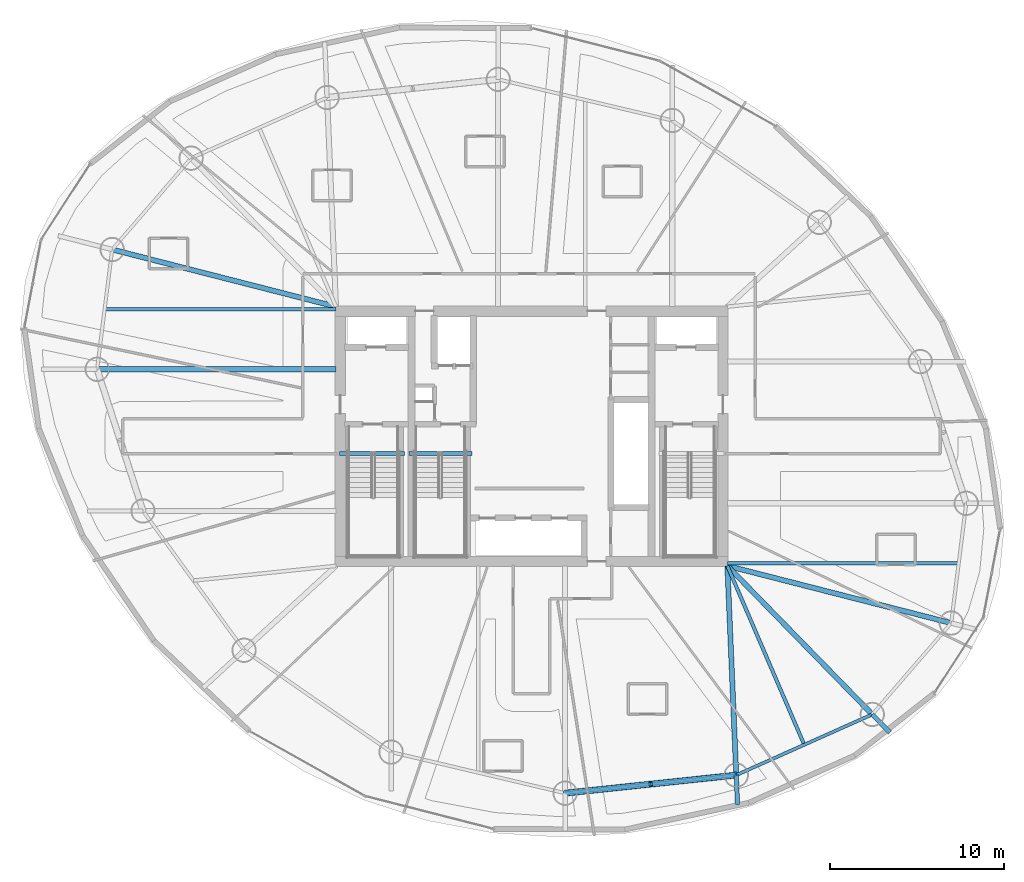
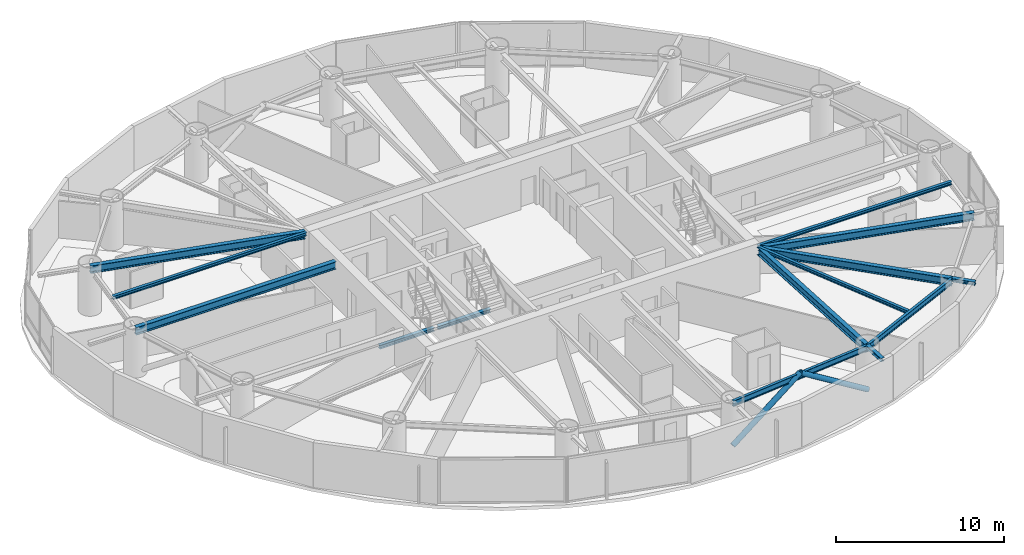
# One storey, part 6 of 22: 14 beams, 2 members.
"""IFC4 building model written with IfcOpenShell, lengths in metres."""

from ifc_helpers import new_model, si_unit, direction, frame, origin, origin_2d, place, context, subcontext, project, spatial, hollow_circle, i_section, extrude, material, material_profile, profile_set, type_object, element, save


model = new_model("IFC4")

# Units and contexts
model_context = context("Model", 3, precision=1e-05, world=origin(), true_north=direction((0.0, 1.0)))
body_context = subcontext(model_context, "Body", "Model", "MODEL_VIEW")
ifc_project = project(units=[si_unit("LENGTHUNIT", "METRE"), si_unit("AREAUNIT", "SQUARE_METRE"), si_unit("VOLUMEUNIT", "CUBIC_METRE"), si_unit("PLANEANGLEUNIT", "RADIAN"), si_unit("MASSUNIT", "GRAM", prefix="KILO")], contexts=[model_context])

# Site, building, storey
site_placement = place(None, origin())
site = spatial("IfcSite", under=ifc_project, at=site_placement, CompositionType="ELEMENT")
building_placement = place(site_placement, origin())
building = spatial("IfcBuilding", under=site, at=building_placement, Name="Bramvorn Convention Spire", CompositionType="ELEMENT")
storey_placement = place(building_placement, frame((0.0, 0.0, 120.300048828125)))
storey = spatial("IfcBuildingStorey", under=building, at=storey_placement, Name="L29", CompositionType="ELEMENT", Elevation=120.300048828125)

# Beams
ifc_material = material(Name="Steel CSA G40.21 Grade 350 (350W)", Category="steel")
ifc_material_profile_1 = material_profile(ifc_material, i_section(OverallWidth=0.201904296875, OverallDepth=0.2470703125, WebThickness=0.00732421875, FlangeThickness=0.010986328125, FilletRadius=0.011962890625, at=origin_2d()))
ifc_profile_set_1 = profile_set([ifc_material_profile_1], Name="Steel CSA G40.21 Grade 350 (350W) - W250X49")
beam_type_1 = type_object("IfcBeamType", Name="BM-W250X49", PredefinedType="JOIST", material=ifc_profile_set_1)
for number, where, z_axis, x_axis, name in (
    (1, (49.25, 18.705078125, 3.136474609375), (1.0, 0.0, 0.0), (0.0, 1.0, 0.0), "L29 composite floor joist 01"),
    (2, (26.75, 33.294921875, 3.136474609375), (-1.0, 0.0, 0.0), (0.0, -1.0, 0.0), "L29 composite floor joist 09"),
):
    element("IfcBeam", number, at=place(storey_placement, frame(where, z_axis=z_axis, x_axis=x_axis)), inside=storey, type_object=beam_type_1, Name=name, PredefinedType="JOIST", context=body_context, shape_type="SweptSolid", body=[
        extrude(i_section(OverallWidth=0.201904296875, OverallDepth=0.2470703125, WebThickness=0.00732421875, FlangeThickness=0.010986328125, FilletRadius=0.011962890625, at=origin_2d()), origin(), (0.0, 0.0, 1.0), 13.30078125),
    ])
beam_1_placement = place(storey_placement, frame((49.25, 18.550048828125, 3.136474609375), z_axis=(0.394937739893, -0.918707886985, 0.0), x_axis=(0.918707886985, 0.394937739893, 0.0)))
element("IfcBeam", 3, at=beam_1_placement, inside=storey, type_object=beam_type_1, Name="L29 composite floor joist 15", PredefinedType="JOIST", context=body_context, shape_type="SweptSolid", body=[
    extrude(i_section(OverallWidth=0.201904296875, OverallDepth=0.2470703125, WebThickness=0.00732421875, FlangeThickness=0.010986328125, FilletRadius=0.011962890625, at=origin_2d()), origin(), (0.0, 0.0, 1.0), 11.19384765625),
])
ifc_material_profile_2 = material_profile(ifc_material, i_section(OverallWidth=0.25390625, OverallDepth=0.2529296875, WebThickness=0.008544921875, FlangeThickness=0.01416015625, FilletRadius=0.011962890625, at=origin_2d()))
ifc_profile_set_2 = profile_set([ifc_material_profile_2], Name="Steel CSA G40.21 Grade 350 (350W) - W250X73")
beam_type_2 = type_object("IfcBeamType", Name="BM-W250X73", PredefinedType="BEAM", material=ifc_profile_set_2)
beam_2_placement = place(storey_placement, frame((49.76171875, 6.521240234375, 3.133544921875), z_axis=(0.042594718003, -0.99909243316, 0.0), x_axis=(0.99909243316, 0.042594718003, 0.0)))
element("IfcBeam", 4, at=beam_2_placement, inside=storey, type_object=beam_type_2, Name="L29 slab-edge cantilever tip beam MC15", PredefinedType="BEAM", context=body_context, shape_type="SweptSolid", body=[
    extrude(i_section(OverallWidth=0.25390625, OverallDepth=0.2529296875, WebThickness=0.008544921875, FlangeThickness=0.01416015625, FilletRadius=0.011962890625, at=origin_2d()), origin(), (0.0, 0.0, 1.0), 1.68505859375),
])
beam_3_placement = place(storey_placement, frame((57.579833984375, 10.0107421875, 3.133544921875), z_axis=(0.69825407846, -0.71585001356, 0.0), x_axis=(0.71585001356, 0.69825407846, 0.0)))
element("IfcBeam", 5, at=beam_3_placement, inside=storey, type_object=beam_type_2, Name="L29 slab-edge cantilever tip beam MC16", PredefinedType="BEAM", context=body_context, shape_type="SweptSolid", body=[
    extrude(i_section(OverallWidth=0.25390625, OverallDepth=0.2529296875, WebThickness=0.008544921875, FlangeThickness=0.01416015625, FilletRadius=0.011962890625, at=origin_2d()), origin(), (0.0, 0.0, 1.0), 1.44287109375),
])
beam_4_placement = place(storey_placement, frame((26.949951171875, 25.010009765625, -0.12646484375), z_axis=(1.0, 0.0, 0.0), x_axis=(0.0, 1.0, 0.0)))
element("IfcBeam", 6, at=beam_4_placement, inside=storey, type_object=beam_type_2, Name="L29 ST1 stair arrival header beam", PredefinedType="BEAM", context=body_context, shape_type="SweptSolid", body=[
    extrude(i_section(OverallWidth=0.25390625, OverallDepth=0.2529296875, WebThickness=0.008544921875, FlangeThickness=0.01416015625, FilletRadius=0.011962890625, at=origin_2d()), origin(), (0.0, 0.0, 1.0), 3.739990234375),
])
beam_5_placement = place(storey_placement, frame((30.949951171875, 25.010009765625, -0.12646484375), z_axis=(1.0, 0.0, 0.0), x_axis=(0.0, 1.0, 0.0)))
element("IfcBeam", 7, at=beam_5_placement, inside=storey, type_object=beam_type_2, Name="L29 ST3 stair arrival header beam", PredefinedType="BEAM", context=body_context, shape_type="SweptSolid", body=[
    extrude(i_section(OverallWidth=0.25390625, OverallDepth=0.2529296875, WebThickness=0.008544921875, FlangeThickness=0.01416015625, FilletRadius=0.011962890625, at=origin_2d()), origin(), (0.0, 0.0, 1.0), 3.610107421875),
])
ifc_material_profile_3 = material_profile(ifc_material, i_section(OverallWidth=0.180908203125, OverallDepth=0.4169921875, WebThickness=0.010986328125, FlangeThickness=0.018310546875, FilletRadius=0.01611328125, at=origin_2d()))
ifc_profile_set_3 = profile_set([ifc_material_profile_3], Name="Steel CSA G40.21 Grade 350 (350W) - W410X85")
beam_type_3 = type_object("IfcBeamType", Name="BM-W410X85", PredefinedType="JOIST", material=ifc_profile_set_3)
beam_6_placement = place(storey_placement, frame((39.924072265625, 5.482666015625, 3.051513671875), z_axis=(0.994473491975, 0.104987969596, 0.0), x_axis=(-0.104987969596, 0.994473491975, 0.0)))
element("IfcBeam", 8, at=beam_6_placement, inside=storey, type_object=beam_type_3, Name="L29 mega-column ring beam 14", PredefinedType="JOIST", context=body_context, shape_type="SweptSolid", body=[
    extrude(i_section(OverallWidth=0.180908203125, OverallDepth=0.4169921875, WebThickness=0.010986328125, FlangeThickness=0.018310546875, FilletRadius=0.01611328125, at=origin_2d()), origin(), (0.0, 0.0, 1.0), 9.892333984375),
])
beam_7_placement = place(storey_placement, frame((49.76171875, 6.521240234375, 3.051513671875), z_axis=(0.913169534701, 0.407579931908, 0.0), x_axis=(-0.407579931908, 0.913169534701, 0.0)))
element("IfcBeam", 9, at=beam_7_placement, inside=storey, type_object=beam_type_3, Name="L29 mega-column ring beam 15", PredefinedType="JOIST", context=body_context, shape_type="SweptSolid", body=[
    extrude(i_section(OverallWidth=0.180908203125, OverallDepth=0.4169921875, WebThickness=0.010986328125, FlangeThickness=0.018310546875, FilletRadius=0.01611328125, at=origin_2d()), origin(), (0.0, 0.0, 1.0), 8.5615234375),
])
ifc_material_profile_4 = material_profile(ifc_material, i_section(OverallWidth=0.2919921875, OverallDepth=0.551025390625, WebThickness=0.01513671875, FlangeThickness=0.0244140625, FilletRadius=0.01904296875, at=origin_2d()))
ifc_profile_set_4 = profile_set([ifc_material_profile_4], Name="Steel CSA G40.21 Grade 350 (350W) - W530X182")
beam_type_4 = type_object("IfcBeamType", Name="BM-W530X182", PredefinedType="BEAM", material=ifc_profile_set_4)
for number, where, z_axis, x_axis, name in (
    (10, (49.25, 18.550048828125, 2.984375), (0.968872976577, -0.247558387576, 0.0), (0.247558387576, 0.968872976577, 0.0), "L29 radial floor girder MC01"),
    (11, (26.75, 33.449951171875, 2.984375), (-0.968872976577, 0.247558387576, 0.0), (-0.247558387576, -0.968872976577, 0.0), "L29 radial floor girder MC09"),
):
    element("IfcBeam", number, at=place(storey_placement, frame(where, z_axis=z_axis, x_axis=x_axis)), inside=storey, type_object=beam_type_4, Name=name, PredefinedType="BEAM", context=body_context, shape_type="SweptSolid", body=[
        extrude(i_section(OverallWidth=0.2919921875, OverallDepth=0.551025390625, WebThickness=0.01513671875, FlangeThickness=0.0244140625, FilletRadius=0.01904296875, at=origin_2d()), origin(), (0.0, 0.0, 1.0), 13.281005859375),
    ])
beam_8_placement = place(storey_placement, frame((26.75, 29.851806640625, 2.984375), z_axis=(-1.0, 0.0, 0.0), x_axis=(0.0, -1.0, 0.0)))
element("IfcBeam", 12, at=beam_8_placement, inside=storey, type_object=beam_type_4, Name="L29 radial floor girder MC10", PredefinedType="BEAM", context=body_context, shape_type="SweptSolid", body=[
    extrude(i_section(OverallWidth=0.2919921875, OverallDepth=0.551025390625, WebThickness=0.01513671875, FlangeThickness=0.0244140625, FilletRadius=0.01904296875, at=origin_2d()), origin(), (0.0, 0.0, 1.0), 13.733642578125),
])
beam_9_placement = place(storey_placement, frame((49.25, 18.550048828125, 2.984375), z_axis=(0.042502657955, -0.999096353745, 0.0), x_axis=(0.999096353745, 0.042502657955, 0.0)))
element("IfcBeam", 13, at=beam_9_placement, inside=storey, type_object=beam_type_4, Name="L29 radial floor girder MC15", PredefinedType="BEAM", context=body_context, shape_type="SweptSolid", body=[
    extrude(i_section(OverallWidth=0.2919921875, OverallDepth=0.551025390625, WebThickness=0.01513671875, FlangeThickness=0.0244140625, FilletRadius=0.01904296875, at=origin_2d()), origin(), (0.0, 0.0, 1.0), 12.039794921875),
])
beam_10_placement = place(storey_placement, frame((49.25, 18.550048828125, 2.984375), z_axis=(0.698272445638, -0.715832097397, 0.0), x_axis=(0.715832097397, 0.698272445638, 0.0)))
element("IfcBeam", 14, at=beam_10_placement, inside=storey, type_object=beam_type_4, Name="L29 radial floor girder MC16", PredefinedType="BEAM", context=body_context, shape_type="SweptSolid", body=[
    extrude(i_section(OverallWidth=0.2919921875, OverallDepth=0.551025390625, WebThickness=0.01513671875, FlangeThickness=0.0244140625, FilletRadius=0.01904296875, at=origin_2d()), origin(), (0.0, 0.0, 1.0), 11.92919921875),
])

# Members
ifc_material_profile_5 = material_profile(ifc_material, hollow_circle(Radius=0.177734375, WallThickness=0.015869140625, at=origin_2d()))
ifc_profile_set_5 = profile_set([ifc_material_profile_5], Name="Steel CSA G40.21 Grade 350 (350W) - CHS356X16")
member_type = type_object("IfcMemberType", Name="MBR-CHS356X16", PredefinedType="BRACE", material=ifc_profile_set_5)
member_1_placement = place(storey_placement, frame((39.924072265625, 5.482666015625, 0.0), z_axis=(0.830346972509, 0.087658725954, 0.550308870553), x_axis=(-0.104985392894, 0.994473763997, 0.0)))
element("IfcMember", 15, at=member_1_placement, inside=storey, type_object=member_type, Name="L29 perimeter Gothic lancet brace 14A", PredefinedType="BRACE", context=body_context, shape_type="SweptSolid", body=[
    extrude(hollow_circle(Radius=0.177734375, WallThickness=0.015869140625, at=origin_2d()), origin(), (0.0, 0.0, 1.0), 5.924072265625),
])
member_2_placement = place(storey_placement, frame((49.76171875, 6.521240234375, 0.0), z_axis=(-0.830334174424, -0.087661725766, 0.550327702937), x_axis=(0.104990546424, -0.994473219932, 0.0)))
element("IfcMember", 16, at=member_2_placement, inside=storey, type_object=member_type, Name="L29 perimeter Gothic lancet brace 14B", PredefinedType="BRACE", context=body_context, shape_type="SweptSolid", body=[
    extrude(hollow_circle(Radius=0.177734375, WallThickness=0.015869140625, at=origin_2d()), origin(), (0.0, 0.0, 1.0), 5.923828125),
])

save(model, "model.ifc")
